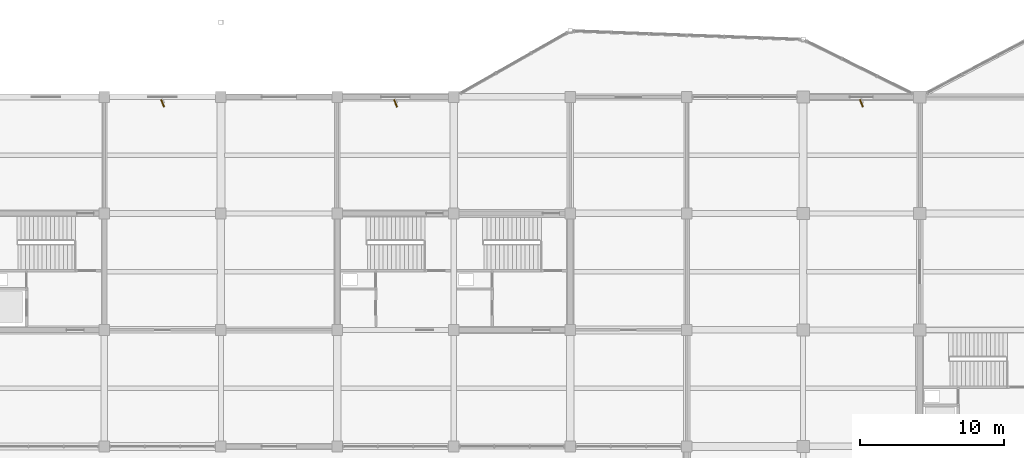
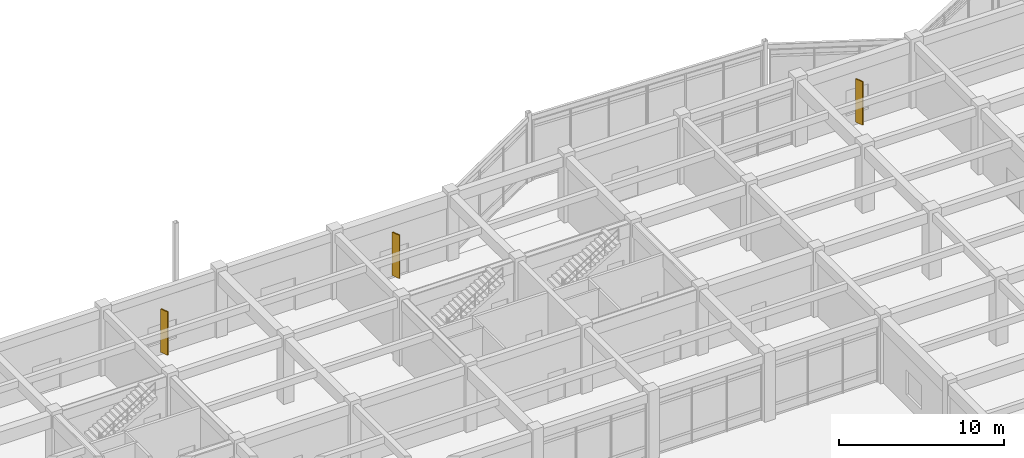
# One storey, part 98 of 99: 3 shading devices.
"""IFC4 building model written with IfcOpenShell, lengths in metres."""

from ifc_helpers import new_model, si_unit, direction, frame, origin, origin_2d, place, context, subcontext, project, spatial, rectangle, extrude, material, type_object, element, save


model = new_model("IFC4")

# Units and contexts
model_context = context("Model", 3, precision=1e-05, world=origin(), true_north=direction((0.0, 1.0)))
body_context = subcontext(model_context, "Body", "Model", "MODEL_VIEW")
ifc_project = project(units=[si_unit("LENGTHUNIT", "METRE"), si_unit("AREAUNIT", "SQUARE_METRE"), si_unit("VOLUMEUNIT", "CUBIC_METRE"), si_unit("PLANEANGLEUNIT", "RADIAN"), si_unit("MASSUNIT", "GRAM", prefix="KILO")], contexts=[model_context])

# Site, building, storey
site_placement = place(None, origin())
site = spatial("IfcSite", under=ifc_project, at=site_placement, CompositionType="ELEMENT")
building_placement = place(site_placement, origin())
building = spatial("IfcBuilding", under=site, at=building_placement, Name="Vaudrelin Polytechnic", CompositionType="ELEMENT")
storey_placement = place(building_placement, origin())
storey = spatial("IfcBuildingStorey", under=building, at=storey_placement, Name="L00", CompositionType="ELEMENT", Elevation=0.0)

# Shading devices
ifc_material = material(Name="Anodised perforated aluminium AA 5005", Category="aluminium")
shading_device_type = type_object("IfcShadingDeviceType", Name="ENV-SF-FIN1", PredefinedType="USERDEFINED", material=ifc_material)
for number, where, z_axis, x_axis, name in (
    (1, (93.14990234375, 121.06005859375, 0.2001953125), (0.0, 0.0, 1.0), (0.374606593416, -0.927183854567, 0.0), "Perforated solar fin SF-008"),
    (2, (109.35009765625, 121.06005859375, 0.2001953125), (0.0, 0.0, 1.0), (0.374606593416, -0.927183854567, 0.0), "Perforated solar fin SF-009"),
    (3, (141.75, 121.06494140625, 0.2001953125), (0.0, 0.0, 1.0), (0.374606593416, -0.927183854567, 0.0), "Perforated solar fin SF-010"),
):
    element("IfcShadingDevice", number, at=place(storey_placement, frame(where, z_axis=z_axis, x_axis=x_axis)), inside=storey, type_object=shading_device_type, Name=name, ObjectType="SOLAR FIN", PredefinedType="USERDEFINED", context=body_context, shape_type="SweptSolid", body=[
        extrude(rectangle(XDim=0.550048828125, YDim=0.080078125, at=origin_2d()), origin(), (0.0, 0.0, 1.0), 3.199951171875),
    ])

save(model, "model.ifc")
